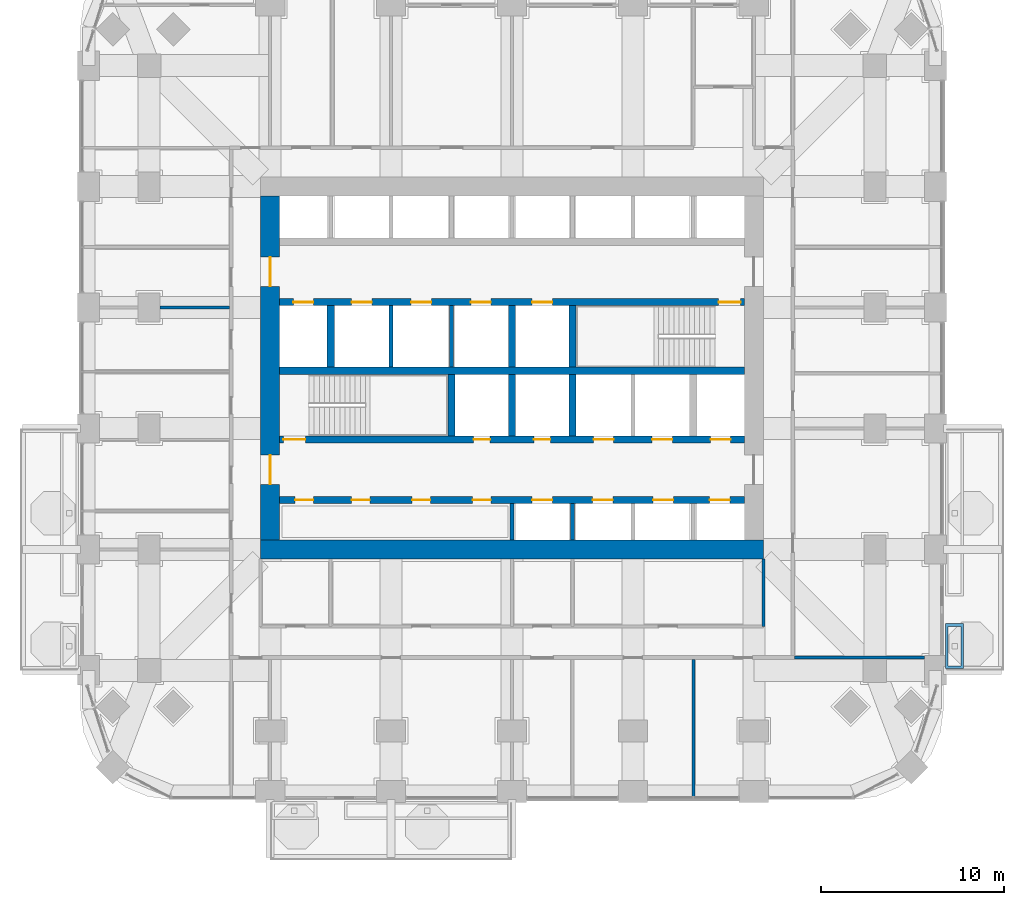
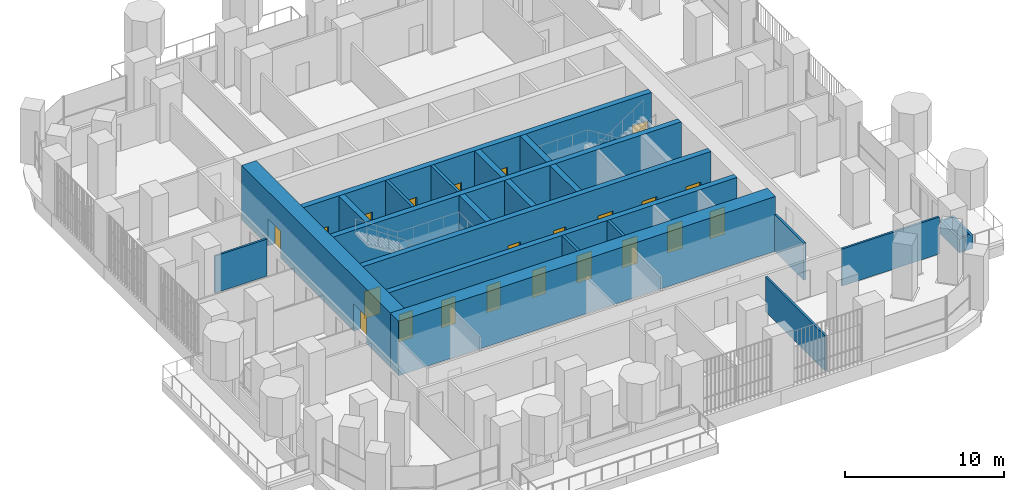
# One storey, part 14 of 21: 22 doors, 21 walls, 22 openings.
"""IFC4 building model written with IfcOpenShell, lengths in metres."""

from ifc_helpers import new_model, si_unit, direction, frame, frame_2d, origin, place, context, subcontext, project, spatial, polyline, rectangle, outline, extrude, material, layer, layer_set, type_object, element, fill, save


model = new_model("IFC4")

# Units and contexts
model_context = context("Model", 3, precision=1e-05, world=origin(), true_north=direction((0.0, 1.0)))
body_context = subcontext(model_context, "Body", "Model", "MODEL_VIEW")
ifc_project = project(units=[si_unit("LENGTHUNIT", "METRE"), si_unit("AREAUNIT", "SQUARE_METRE"), si_unit("VOLUMEUNIT", "CUBIC_METRE"), si_unit("PLANEANGLEUNIT", "RADIAN"), si_unit("MASSUNIT", "GRAM", prefix="KILO")], contexts=[model_context])

# Site, building, storey
site_placement = place(None, origin())
site = spatial("IfcSite", under=ifc_project, at=site_placement, CompositionType="ELEMENT")
building_placement = place(site_placement, origin())
building = spatial("IfcBuilding", under=site, at=building_placement, Name="Cobogo Forest Laboratory Tower", CompositionType="ELEMENT")
storey_placement = place(building_placement, frame((0.0, 0.0, 107.39990234375)))
storey = spatial("IfcBuildingStorey", under=building, at=storey_placement, Name="L24", CompositionType="ELEMENT", Elevation=107.39990234375)

# Wall, openings, doors
ifc_material_1 = material(Name="Concrete HA-50 (C50/60)", Category="concrete")
ifc_layer_1 = layer(ifc_material_1, 0.39990234375)
ifc_layer_set_1 = layer_set([ifc_layer_1], Name="CI400 core inner wall 400")
wall_type_1 = type_object("IfcWallType", Name="CI400 core inner wall 400", PredefinedType="SHEAR", material=ifc_layer_set_1)
wall_1_placement = place(storey_placement, frame((13.72509765625, 15.89990234375, 0.0), z_axis=(0.0, 0.0, 1.0), x_axis=(1.0, 0.0, 0.0)))
wall_1 = element("IfcWall", 1, at=wall_1_placement, inside=storey, type_object=wall_type_1, Name="Core wall CI-15.9 L24", PredefinedType="SHEAR", context=body_context, shape_type="SweptSolid", body=[
    extrude(rectangle(XDim=25.349853515625, YDim=0.39990234375, at=frame_2d((12.6748046875, 0.0))), origin(), (0.0, 0.0, 1.0), 4.2001953125),
])
opening_1_placement = place(wall_1_placement, frame((0.83740234375, 0.0, 0.0)))
opening_1 = element("IfcOpeningElement", 2, at=opening_1_placement, cuts=wall_1, Name="Opening L24-D16", PredefinedType="OPENING", context=body_context, shape_type="SweptSolid", body=[
    extrude(rectangle(XDim=1.0, YDim=2.10009765625, at=frame_2d((0.5, 1.050048828125))), frame((0.0, 0.2099609375, 0.0), z_axis=(0.0, -1.0, 0.0), x_axis=(1.0, 0.0, 0.0)), (0.0, 0.0, 1.0), 0.419921875),
])
opening_2_placement = place(wall_1_placement, frame((3.925048828125, 0.0, 0.0)))
opening_2 = element("IfcOpeningElement", 3, at=opening_2_placement, cuts=wall_1, Name="Opening L24-D17", PredefinedType="OPENING", context=body_context, shape_type="SweptSolid", body=[
    extrude(rectangle(XDim=1.0, YDim=2.10009765625, at=frame_2d((0.5, 1.050048828125))), frame((0.0, 0.2099609375, 0.0), z_axis=(0.0, -1.0, 0.0), x_axis=(1.0, 0.0, 0.0)), (0.0, 0.0, 1.0), 0.419921875),
])
opening_3_placement = place(wall_1_placement, frame((7.22509765625, 0.0, 0.0)))
opening_3 = element("IfcOpeningElement", 4, at=opening_3_placement, cuts=wall_1, Name="Opening L24-D18", PredefinedType="OPENING", context=body_context, shape_type="SweptSolid", body=[
    extrude(rectangle(XDim=1.0, YDim=2.10009765625, at=frame_2d((0.5, 1.050048828125))), frame((0.0, 0.2099609375, 0.0), z_axis=(0.0, -1.0, 0.0), x_axis=(1.0, 0.0, 0.0)), (0.0, 0.0, 1.0), 0.419921875),
])
opening_4_placement = place(wall_1_placement, frame((10.52490234375, 0.0, 0.0)))
opening_4 = element("IfcOpeningElement", 5, at=opening_4_placement, cuts=wall_1, Name="Opening L24-D19", PredefinedType="OPENING", context=body_context, shape_type="SweptSolid", body=[
    extrude(rectangle(XDim=1.0, YDim=2.10009765625, at=frame_2d((0.5, 1.050048828125))), frame((0.0, 0.2099609375, 0.0), z_axis=(0.0, -1.0, 0.0), x_axis=(1.0, 0.0, 0.0)), (0.0, 0.0, 1.0), 0.419921875),
])
opening_5_placement = place(wall_1_placement, frame((13.77490234375, 0.0, 0.0)))
opening_5 = element("IfcOpeningElement", 6, at=opening_5_placement, cuts=wall_1, Name="Opening L24-LD-LB1", PredefinedType="OPENING", context=body_context, shape_type="SweptSolid", body=[
    extrude(rectangle(XDim=1.10009765625, YDim=2.10009765625, at=frame_2d((0.550048828125, 1.050048828125))), frame((0.0, 0.2099609375, 0.0), z_axis=(0.0, -1.0, 0.0), x_axis=(1.0, 0.0, 0.0)), (0.0, 0.0, 1.0), 0.419921875),
])
opening_6_placement = place(wall_1_placement, frame((17.074951171875, 0.0, 0.0)))
opening_6 = element("IfcOpeningElement", 7, at=opening_6_placement, cuts=wall_1, Name="Opening L24-LD-LB2", PredefinedType="OPENING", context=body_context, shape_type="SweptSolid", body=[
    extrude(rectangle(XDim=1.10009765625, YDim=2.10009765625, at=frame_2d((0.550048828125, 1.050048828125))), frame((0.0, 0.2099609375, 0.0), z_axis=(0.0, -1.0, 0.0), x_axis=(1.0, 0.0, 0.0)), (0.0, 0.0, 1.0), 0.419921875),
])
opening_7_placement = place(wall_1_placement, frame((20.375, 0.0, 0.0)))
opening_7 = element("IfcOpeningElement", 8, at=opening_7_placement, cuts=wall_1, Name="Opening L24-LD-LB3", PredefinedType="OPENING", context=body_context, shape_type="SweptSolid", body=[
    extrude(rectangle(XDim=1.10009765625, YDim=2.10009765625, at=frame_2d((0.550048828125, 1.050048828125))), frame((0.0, 0.2099609375, 0.0), z_axis=(0.0, -1.0, 0.0), x_axis=(1.0, 0.0, 0.0)), (0.0, 0.0, 1.0), 0.419921875),
])
opening_8_placement = place(wall_1_placement, frame((23.46240234375, 0.0, 0.0)))
opening_8 = element("IfcOpeningElement", 9, at=opening_8_placement, cuts=wall_1, Name="Opening L24-LD-LB4", PredefinedType="OPENING", context=body_context, shape_type="SweptSolid", body=[
    extrude(rectangle(XDim=1.10009765625, YDim=2.10009765625, at=frame_2d((0.550048828125, 1.050048828125))), frame((0.0, 0.2099609375, 0.0), z_axis=(0.0, -1.0, 0.0), x_axis=(1.0, 0.0, 0.0)), (0.0, 0.0, 1.0), 0.419921875),
])
ifc_material_2 = material(Name="Steel fire door", Category="steel")
door_type_1 = type_object("IfcDoorType", Name="FD1 fire door 1000 EI2 60", OperationType="SINGLE_SWING_LEFT", PredefinedType="DOOR", material=ifc_material_2)
door_1_placement = place(opening_1_placement, origin())
door_1 = element("IfcDoor", 10, at=door_1_placement, inside=storey, type_object=door_type_1, Name="Door L24-SH-LA1", OperationType="SINGLE_SWING_LEFT", OverallHeight=2.10009765625, OverallWidth=1.0, PredefinedType="DOOR", context=body_context, shape_type="SweptSolid", body=[
    extrude(rectangle(XDim=1.0, YDim=2.10009765625, at=frame_2d((0.5, 1.050048828125))), frame((0.0, 0.02490234375, 0.0), z_axis=(0.0, -1.0, 0.0), x_axis=(1.0, 0.0, 0.0)), (0.0, 0.0, 1.0), 0.050048828125),
])
fill(opening_1, door_1)
door_2_placement = place(opening_2_placement, origin())
door_2 = element("IfcDoor", 11, at=door_2_placement, inside=storey, type_object=door_type_1, Name="Door L24-SH-LA2", OperationType="SINGLE_SWING_LEFT", OverallHeight=2.10009765625, OverallWidth=1.0, PredefinedType="DOOR", context=body_context, shape_type="SweptSolid", body=[
    extrude(rectangle(XDim=1.0, YDim=2.10009765625, at=frame_2d((0.5, 1.050048828125))), frame((0.0, 0.02490234375, 0.0), z_axis=(0.0, -1.0, 0.0), x_axis=(1.0, 0.0, 0.0)), (0.0, 0.0, 1.0), 0.050048828125),
])
fill(opening_2, door_2)
door_3_placement = place(opening_3_placement, origin())
door_3 = element("IfcDoor", 12, at=door_3_placement, inside=storey, type_object=door_type_1, Name="Door L24-SH-LA3", OperationType="SINGLE_SWING_LEFT", OverallHeight=2.10009765625, OverallWidth=1.0, PredefinedType="DOOR", context=body_context, shape_type="SweptSolid", body=[
    extrude(rectangle(XDim=1.0, YDim=2.10009765625, at=frame_2d((0.5, 1.050048828125))), frame((0.0, 0.02490234375, 0.0), z_axis=(0.0, -1.0, 0.0), x_axis=(1.0, 0.0, 0.0)), (0.0, 0.0, 1.0), 0.050048828125),
])
fill(opening_3, door_3)
door_4_placement = place(opening_4_placement, origin())
door_4 = element("IfcDoor", 13, at=door_4_placement, inside=storey, type_object=door_type_1, Name="Door L24-SH-LA4", OperationType="SINGLE_SWING_LEFT", OverallHeight=2.10009765625, OverallWidth=1.0, PredefinedType="DOOR", context=body_context, shape_type="SweptSolid", body=[
    extrude(rectangle(XDim=1.0, YDim=2.10009765625, at=frame_2d((0.5, 1.050048828125))), frame((0.0, 0.02490234375, 0.0), z_axis=(0.0, -1.0, 0.0), x_axis=(1.0, 0.0, 0.0)), (0.0, 0.0, 1.0), 0.050048828125),
])
fill(opening_4, door_4)
ifc_material_3 = material(Name="Stainless steel lift door", Category="steel")
door_type_2 = type_object("IfcDoorType", Name="LD lift landing door 1100", OperationType="DOUBLE_DOOR_SLIDING", PredefinedType="DOOR", material=ifc_material_3)
door_5_placement = place(opening_5_placement, origin())
door_5 = element("IfcDoor", 14, at=door_5_placement, inside=storey, type_object=door_type_2, Name="Lift landing door LB1 L24", OperationType="DOUBLE_DOOR_SLIDING", OverallHeight=2.10009765625, OverallWidth=1.10009765625, PredefinedType="DOOR", context=body_context, shape_type="SweptSolid", body=[
    extrude(rectangle(XDim=1.10009765625, YDim=2.10009765625, at=frame_2d((0.550048828125, 1.050048828125))), frame((0.0, 0.02490234375, 0.0), z_axis=(0.0, -1.0, 0.0), x_axis=(1.0, 0.0, 0.0)), (0.0, 0.0, 1.0), 0.050048828125),
])
fill(opening_5, door_5)
door_6_placement = place(opening_6_placement, origin())
door_6 = element("IfcDoor", 15, at=door_6_placement, inside=storey, type_object=door_type_2, Name="Lift landing door LB2 L24", OperationType="DOUBLE_DOOR_SLIDING", OverallHeight=2.10009765625, OverallWidth=1.10009765625, PredefinedType="DOOR", context=body_context, shape_type="SweptSolid", body=[
    extrude(rectangle(XDim=1.10009765625, YDim=2.10009765625, at=frame_2d((0.550048828125, 1.050048828125))), frame((0.0, 0.02490234375, 0.0), z_axis=(0.0, -1.0, 0.0), x_axis=(1.0, 0.0, 0.0)), (0.0, 0.0, 1.0), 0.050048828125),
])
fill(opening_6, door_6)
door_7_placement = place(opening_7_placement, origin())
door_7 = element("IfcDoor", 16, at=door_7_placement, inside=storey, type_object=door_type_2, Name="Lift landing door LB3 L24", OperationType="DOUBLE_DOOR_SLIDING", OverallHeight=2.10009765625, OverallWidth=1.10009765625, PredefinedType="DOOR", context=body_context, shape_type="SweptSolid", body=[
    extrude(rectangle(XDim=1.10009765625, YDim=2.10009765625, at=frame_2d((0.550048828125, 1.050048828125))), frame((0.0, 0.02490234375, 0.0), z_axis=(0.0, -1.0, 0.0), x_axis=(1.0, 0.0, 0.0)), (0.0, 0.0, 1.0), 0.050048828125),
])
fill(opening_7, door_7)
door_8_placement = place(opening_8_placement, origin())
door_8 = element("IfcDoor", 17, at=door_8_placement, inside=storey, type_object=door_type_2, Name="Lift landing door LB4 L24", OperationType="DOUBLE_DOOR_SLIDING", OverallHeight=2.10009765625, OverallWidth=1.10009765625, PredefinedType="DOOR", context=body_context, shape_type="SweptSolid", body=[
    extrude(rectangle(XDim=1.10009765625, YDim=2.10009765625, at=frame_2d((0.550048828125, 1.050048828125))), frame((0.0, 0.02490234375, 0.0), z_axis=(0.0, -1.0, 0.0), x_axis=(1.0, 0.0, 0.0)), (0.0, 0.0, 1.0), 0.050048828125),
])
fill(opening_8, door_8)

wall_2_placement = place(storey_placement, frame((13.72509765625, 19.199951171875, 0.0), z_axis=(0.0, 0.0, 1.0), x_axis=(1.0, 0.0, 0.0)))
wall_2 = element("IfcWall", 18, at=wall_2_placement, inside=storey, type_object=wall_type_1, Name="Core wall CI-19.2 L24", PredefinedType="SHEAR", context=body_context, shape_type="SweptSolid", body=[
    extrude(rectangle(XDim=25.349853515625, YDim=0.39990234375, at=frame_2d((12.6748046875, 0.0))), origin(), (0.0, 0.0, 1.0), 4.2001953125),
])
opening_9_placement = place(wall_2_placement, frame((10.574951171875, 0.0, 0.0)))
opening_9 = element("IfcOpeningElement", 19, at=opening_9_placement, cuts=wall_2, Name="Opening L24-D24", PredefinedType="OPENING", context=body_context, shape_type="SweptSolid", body=[
    extrude(rectangle(XDim=0.89990234375, YDim=2.10009765625, at=frame_2d((0.449951171875, 1.050048828125))), frame((0.0, 0.2099609375, 0.0), z_axis=(0.0, -1.0, 0.0), x_axis=(1.0, 0.0, 0.0)), (0.0, 0.0, 1.0), 0.419921875),
])
opening_10_placement = place(wall_2_placement, frame((13.875, 0.0, 0.0)))
opening_10 = element("IfcOpeningElement", 20, at=opening_10_placement, cuts=wall_2, Name="Opening L24-D25", PredefinedType="OPENING", context=body_context, shape_type="SweptSolid", body=[
    extrude(rectangle(XDim=0.89990234375, YDim=2.10009765625, at=frame_2d((0.449951171875, 1.050048828125))), frame((0.0, 0.2099609375, 0.0), z_axis=(0.0, -1.0, 0.0), x_axis=(1.0, 0.0, 0.0)), (0.0, 0.0, 1.0), 0.419921875),
])
opening_11_placement = place(wall_2_placement, frame((0.199951171875, 0.0, 0.0)))
opening_11 = element("IfcOpeningElement", 21, at=opening_11_placement, cuts=wall_2, Name="Opening L24-D23", PredefinedType="OPENING", context=body_context, shape_type="SweptSolid", body=[
    extrude(rectangle(XDim=1.199951171875, YDim=2.10009765625, at=frame_2d((0.60009765625, 1.050048828125))), frame((0.0, 0.2099609375, 0.0), z_axis=(0.0, -1.0, 0.0), x_axis=(1.0, 0.0, 0.0)), (0.0, 0.0, 1.0), 0.419921875),
])
opening_12_placement = place(wall_2_placement, frame((23.512451171875, 0.0, 0.0)))
opening_12 = element("IfcOpeningElement", 22, at=opening_12_placement, cuts=wall_2, Name="Opening L24-LD-FL2", PredefinedType="OPENING", context=body_context, shape_type="SweptSolid", body=[
    extrude(rectangle(XDim=1.10009765625, YDim=2.10009765625, at=frame_2d((0.550048828125, 1.050048828125))), frame((0.0, 0.2099609375, 0.0), z_axis=(0.0, -1.0, 0.0), x_axis=(1.0, 0.0, 0.0)), (0.0, 0.0, 1.0), 0.419921875),
])
opening_13_placement = place(wall_2_placement, frame((17.125, 0.0, 0.0)))
opening_13 = element("IfcOpeningElement", 23, at=opening_13_placement, cuts=wall_2, Name="Opening L24-LD-LS1", PredefinedType="OPENING", context=body_context, shape_type="SweptSolid", body=[
    extrude(rectangle(XDim=1.10009765625, YDim=2.10009765625, at=frame_2d((0.550048828125, 1.050048828125))), frame((0.0, 0.2099609375, 0.0), z_axis=(0.0, -1.0, 0.0), x_axis=(1.0, 0.0, 0.0)), (0.0, 0.0, 1.0), 0.419921875),
])
opening_14_placement = place(wall_2_placement, frame((20.324951171875, 0.0, 0.0)))
opening_14 = element("IfcOpeningElement", 24, at=opening_14_placement, cuts=wall_2, Name="Opening L24-LD-LS2", PredefinedType="OPENING", context=body_context, shape_type="SweptSolid", body=[
    extrude(rectangle(XDim=1.10009765625, YDim=2.10009765625, at=frame_2d((0.550048828125, 1.050048828125))), frame((0.0, 0.2099609375, 0.0), z_axis=(0.0, -1.0, 0.0), x_axis=(1.0, 0.0, 0.0)), (0.0, 0.0, 1.0), 0.419921875),
])
door_type_3 = type_object("IfcDoorType", Name="DS1 protected stair door 1200 EI2 60", OperationType="SINGLE_SWING_LEFT", PredefinedType="DOOR", material=ifc_material_2)
door_9_placement = place(opening_11_placement, origin())
door_9 = element("IfcDoor", 25, at=door_9_placement, inside=storey, type_object=door_type_3, Name="Door L24-ST1", OperationType="SINGLE_SWING_LEFT", OverallHeight=2.10009765625, OverallWidth=1.199951171875, PredefinedType="DOOR", context=body_context, shape_type="SweptSolid", body=[
    extrude(rectangle(XDim=1.199951171875, YDim=2.10009765625, at=frame_2d((0.60009765625, 1.050048828125))), frame((0.0, 0.02490234375, 0.0), z_axis=(0.0, -1.0, 0.0), x_axis=(1.0, 0.0, 0.0)), (0.0, 0.0, 1.0), 0.050048828125),
])
fill(opening_11, door_9)
door_type_4 = type_object("IfcDoorType", Name="FD4 riser access door 900 EI2 60", OperationType="SINGLE_SWING_LEFT", PredefinedType="DOOR", material=ifc_material_2)
door_10_placement = place(opening_9_placement, origin())
door_10 = element("IfcDoor", 26, at=door_10_placement, inside=storey, type_object=door_type_4, Name="Door L24-R1", OperationType="SINGLE_SWING_LEFT", OverallHeight=2.10009765625, OverallWidth=0.89990234375, PredefinedType="DOOR", context=body_context, shape_type="SweptSolid", body=[
    extrude(rectangle(XDim=0.89990234375, YDim=2.10009765625, at=frame_2d((0.449951171875, 1.050048828125))), frame((0.0, 0.02490234375, 0.0), z_axis=(0.0, -1.0, 0.0), x_axis=(1.0, 0.0, 0.0)), (0.0, 0.0, 1.0), 0.050048828125),
])
fill(opening_9, door_10)
door_11_placement = place(opening_10_placement, origin())
door_11 = element("IfcDoor", 27, at=door_11_placement, inside=storey, type_object=door_type_4, Name="Door L24-R2", OperationType="SINGLE_SWING_RIGHT", OverallHeight=2.10009765625, OverallWidth=0.89990234375, PredefinedType="DOOR", context=body_context, shape_type="SweptSolid", body=[
    extrude(rectangle(XDim=0.89990234375, YDim=2.10009765625, at=frame_2d((0.449951171875, 1.050048828125))), frame((0.0, 0.02490234375, 0.0), z_axis=(0.0, -1.0, 0.0), x_axis=(1.0, 0.0, 0.0)), (0.0, 0.0, 1.0), 0.050048828125),
])
fill(opening_10, door_11)
door_12_placement = place(opening_12_placement, origin())
door_12 = element("IfcDoor", 28, at=door_12_placement, inside=storey, type_object=door_type_2, Name="Lift landing door FL2 L24", OperationType="DOUBLE_DOOR_SLIDING", OverallHeight=2.10009765625, OverallWidth=1.10009765625, PredefinedType="DOOR", context=body_context, shape_type="SweptSolid", body=[
    extrude(rectangle(XDim=1.10009765625, YDim=2.10009765625, at=frame_2d((0.550048828125, 1.050048828125))), frame((0.0, 0.02490234375, 0.0), z_axis=(0.0, -1.0, 0.0), x_axis=(1.0, 0.0, 0.0)), (0.0, 0.0, 1.0), 0.050048828125),
])
fill(opening_12, door_12)
door_13_placement = place(opening_13_placement, origin())
door_13 = element("IfcDoor", 29, at=door_13_placement, inside=storey, type_object=door_type_2, Name="Lift landing door LS1 L24", OperationType="DOUBLE_DOOR_SLIDING", OverallHeight=2.10009765625, OverallWidth=1.10009765625, PredefinedType="DOOR", context=body_context, shape_type="SweptSolid", body=[
    extrude(rectangle(XDim=1.10009765625, YDim=2.10009765625, at=frame_2d((0.550048828125, 1.050048828125))), frame((0.0, 0.02490234375, 0.0), z_axis=(0.0, -1.0, 0.0), x_axis=(1.0, 0.0, 0.0)), (0.0, 0.0, 1.0), 0.050048828125),
])
fill(opening_13, door_13)
door_14_placement = place(opening_14_placement, origin())
door_14 = element("IfcDoor", 30, at=door_14_placement, inside=storey, type_object=door_type_2, Name="Lift landing door LS2 L24", OperationType="DOUBLE_DOOR_SLIDING", OverallHeight=2.10009765625, OverallWidth=1.10009765625, PredefinedType="DOOR", context=body_context, shape_type="SweptSolid", body=[
    extrude(rectangle(XDim=1.10009765625, YDim=2.10009765625, at=frame_2d((0.550048828125, 1.050048828125))), frame((0.0, 0.02490234375, 0.0), z_axis=(0.0, -1.0, 0.0), x_axis=(1.0, 0.0, 0.0)), (0.0, 0.0, 1.0), 0.050048828125),
])
fill(opening_14, door_14)

# Wall
wall_3_placement = place(storey_placement, frame((13.72509765625, 22.949951171875, 0.0), z_axis=(0.0, 0.0, 1.0), x_axis=(1.0, 0.0, 0.0)))
element("IfcWall", 31, at=wall_3_placement, inside=storey, type_object=wall_type_1, Name="Core wall CI-22.95 L24", PredefinedType="SHEAR", context=body_context, shape_type="SweptSolid", body=[
    extrude(rectangle(XDim=25.349853515625, YDim=0.39990234375, at=frame_2d((12.6748046875, 0.0))), origin(), (0.0, 0.0, 1.0), 4.2001953125),
])

# Wall, openings, doors
wall_4_placement = place(storey_placement, frame((13.72509765625, 26.699951171875, 0.0), z_axis=(0.0, 0.0, 1.0), x_axis=(1.0, 0.0, 0.0)))
wall_4 = element("IfcWall", 32, at=wall_4_placement, inside=storey, type_object=wall_type_1, Name="Core wall CI-26.7 L24", PredefinedType="SHEAR", context=body_context, shape_type="SweptSolid", body=[
    extrude(rectangle(XDim=25.349853515625, YDim=0.39990234375, at=frame_2d((12.6748046875, 0.0))), origin(), (0.0, 0.0, 1.0), 4.2001953125),
])
opening_15_placement = place(wall_4_placement, frame((23.949951171875, 0.0, 0.0)))
opening_15 = element("IfcOpeningElement", 33, at=opening_15_placement, cuts=wall_4, Name="Opening L24-D30", PredefinedType="OPENING", context=body_context, shape_type="SweptSolid", body=[
    extrude(rectangle(XDim=1.199951171875, YDim=2.10009765625, at=frame_2d((0.60009765625, 1.050048828125))), frame((0.0, 0.2099609375, 0.0), z_axis=(0.0, -1.0, 0.0), x_axis=(1.0, 0.0, 0.0)), (0.0, 0.0, 1.0), 0.419921875),
])
opening_16_placement = place(wall_4_placement, frame((0.737548828125, 0.0, 0.0)))
opening_16 = element("IfcOpeningElement", 34, at=opening_16_placement, cuts=wall_4, Name="Opening L24-LD-FL1", PredefinedType="OPENING", context=body_context, shape_type="SweptSolid", body=[
    extrude(rectangle(XDim=1.10009765625, YDim=2.10009765625, at=frame_2d((0.550048828125, 1.050048828125))), frame((0.0, 0.2099609375, 0.0), z_axis=(0.0, -1.0, 0.0), x_axis=(1.0, 0.0, 0.0)), (0.0, 0.0, 1.0), 0.419921875),
])
opening_17_placement = place(wall_4_placement, frame((3.925048828125, 0.0, 0.0)))
opening_17 = element("IfcOpeningElement", 35, at=opening_17_placement, cuts=wall_4, Name="Opening L24-LD-LS3", PredefinedType="OPENING", context=body_context, shape_type="SweptSolid", body=[
    extrude(rectangle(XDim=1.10009765625, YDim=2.10009765625, at=frame_2d((0.550048828125, 1.050048828125))), frame((0.0, 0.2099609375, 0.0), z_axis=(0.0, -1.0, 0.0), x_axis=(1.0, 0.0, 0.0)), (0.0, 0.0, 1.0), 0.419921875),
])
opening_18_placement = place(wall_4_placement, frame((7.175048828125, 0.0, 0.0)))
opening_18 = element("IfcOpeningElement", 36, at=opening_18_placement, cuts=wall_4, Name="Opening L24-LD-LS4", PredefinedType="OPENING", context=body_context, shape_type="SweptSolid", body=[
    extrude(rectangle(XDim=1.10009765625, YDim=2.10009765625, at=frame_2d((0.550048828125, 1.050048828125))), frame((0.0, 0.2099609375, 0.0), z_axis=(0.0, -1.0, 0.0), x_axis=(1.0, 0.0, 0.0)), (0.0, 0.0, 1.0), 0.419921875),
])
opening_19_placement = place(wall_4_placement, frame((10.425048828125, 0.0, 0.0)))
opening_19 = element("IfcOpeningElement", 37, at=opening_19_placement, cuts=wall_4, Name="Opening L24-LD-LS5", PredefinedType="OPENING", context=body_context, shape_type="SweptSolid", body=[
    extrude(rectangle(XDim=1.10009765625, YDim=2.10009765625, at=frame_2d((0.550048828125, 1.050048828125))), frame((0.0, 0.2099609375, 0.0), z_axis=(0.0, -1.0, 0.0), x_axis=(1.0, 0.0, 0.0)), (0.0, 0.0, 1.0), 0.419921875),
])
opening_20_placement = place(wall_4_placement, frame((13.77490234375, 0.0, 0.0)))
opening_20 = element("IfcOpeningElement", 38, at=opening_20_placement, cuts=wall_4, Name="Opening L24-LD-LS6", PredefinedType="OPENING", context=body_context, shape_type="SweptSolid", body=[
    extrude(rectangle(XDim=1.10009765625, YDim=2.10009765625, at=frame_2d((0.550048828125, 1.050048828125))), frame((0.0, 0.2099609375, 0.0), z_axis=(0.0, -1.0, 0.0), x_axis=(1.0, 0.0, 0.0)), (0.0, 0.0, 1.0), 0.419921875),
])
door_15_placement = place(opening_15_placement, origin())
door_15 = element("IfcDoor", 39, at=door_15_placement, inside=storey, type_object=door_type_3, Name="Door L24-ST2", OperationType="SINGLE_SWING_RIGHT", OverallHeight=2.10009765625, OverallWidth=1.199951171875, PredefinedType="DOOR", context=body_context, shape_type="SweptSolid", body=[
    extrude(rectangle(XDim=1.199951171875, YDim=2.10009765625, at=frame_2d((0.60009765625, 1.050048828125))), frame((0.0, 0.02490234375, 0.0), z_axis=(0.0, -1.0, 0.0), x_axis=(1.0, 0.0, 0.0)), (0.0, 0.0, 1.0), 0.050048828125),
])
fill(opening_15, door_15)
door_16_placement = place(opening_16_placement, origin())
door_16 = element("IfcDoor", 40, at=door_16_placement, inside=storey, type_object=door_type_2, Name="Lift landing door FL1 L24", OperationType="DOUBLE_DOOR_SLIDING", OverallHeight=2.10009765625, OverallWidth=1.10009765625, PredefinedType="DOOR", context=body_context, shape_type="SweptSolid", body=[
    extrude(rectangle(XDim=1.10009765625, YDim=2.10009765625, at=frame_2d((0.550048828125, 1.050048828125))), frame((0.0, 0.02490234375, 0.0), z_axis=(0.0, -1.0, 0.0), x_axis=(1.0, 0.0, 0.0)), (0.0, 0.0, 1.0), 0.050048828125),
])
fill(opening_16, door_16)
door_17_placement = place(opening_17_placement, origin())
door_17 = element("IfcDoor", 41, at=door_17_placement, inside=storey, type_object=door_type_2, Name="Lift landing door LS3 L24", OperationType="DOUBLE_DOOR_SLIDING", OverallHeight=2.10009765625, OverallWidth=1.10009765625, PredefinedType="DOOR", context=body_context, shape_type="SweptSolid", body=[
    extrude(rectangle(XDim=1.10009765625, YDim=2.10009765625, at=frame_2d((0.550048828125, 1.050048828125))), frame((0.0, 0.02490234375, 0.0), z_axis=(0.0, -1.0, 0.0), x_axis=(1.0, 0.0, 0.0)), (0.0, 0.0, 1.0), 0.050048828125),
])
fill(opening_17, door_17)
door_18_placement = place(opening_18_placement, origin())
door_18 = element("IfcDoor", 42, at=door_18_placement, inside=storey, type_object=door_type_2, Name="Lift landing door LS4 L24", OperationType="DOUBLE_DOOR_SLIDING", OverallHeight=2.10009765625, OverallWidth=1.10009765625, PredefinedType="DOOR", context=body_context, shape_type="SweptSolid", body=[
    extrude(rectangle(XDim=1.10009765625, YDim=2.10009765625, at=frame_2d((0.550048828125, 1.050048828125))), frame((0.0, 0.02490234375, 0.0), z_axis=(0.0, -1.0, 0.0), x_axis=(1.0, 0.0, 0.0)), (0.0, 0.0, 1.0), 0.050048828125),
])
fill(opening_18, door_18)
door_19_placement = place(opening_19_placement, origin())
door_19 = element("IfcDoor", 43, at=door_19_placement, inside=storey, type_object=door_type_2, Name="Lift landing door LS5 L24", OperationType="DOUBLE_DOOR_SLIDING", OverallHeight=2.10009765625, OverallWidth=1.10009765625, PredefinedType="DOOR", context=body_context, shape_type="SweptSolid", body=[
    extrude(rectangle(XDim=1.10009765625, YDim=2.10009765625, at=frame_2d((0.550048828125, 1.050048828125))), frame((0.0, 0.02490234375, 0.0), z_axis=(0.0, -1.0, 0.0), x_axis=(1.0, 0.0, 0.0)), (0.0, 0.0, 1.0), 0.050048828125),
])
fill(opening_19, door_19)
door_20_placement = place(opening_20_placement, origin())
door_20 = element("IfcDoor", 44, at=door_20_placement, inside=storey, type_object=door_type_2, Name="Lift landing door LS6 L24", OperationType="DOUBLE_DOOR_SLIDING", OverallHeight=2.10009765625, OverallWidth=1.10009765625, PredefinedType="DOOR", context=body_context, shape_type="SweptSolid", body=[
    extrude(rectangle(XDim=1.10009765625, YDim=2.10009765625, at=frame_2d((0.550048828125, 1.050048828125))), frame((0.0, 0.02490234375, 0.0), z_axis=(0.0, -1.0, 0.0), x_axis=(1.0, 0.0, 0.0)), (0.0, 0.0, 1.0), 0.050048828125),
])
fill(opening_20, door_20)

# Walls
for number, where, z_axis, x_axis, name in (
    (45, (23.10009765625, 19.39990234375, 0.0), (0.0, 0.0, 1.0), (0.0, 1.0, 0.0), "Core wall CX-23.1 L24"),
    (46, (26.39990234375, 19.39990234375, 0.0), (0.0, 0.0, 1.0), (0.0, 1.0, 0.0), "Core wall CX-26.4S L24"),
    (47, (29.699951171875, 19.39990234375, 0.0), (0.0, 0.0, 1.0), (0.0, 1.0, 0.0), "Core wall CX-29.7S L24"),
    (48, (16.5, 23.14990234375, 0.0), (0.0, 0.0, 1.0), (0.0, 1.0, 0.0), "Core wall CX-16.5 L24"),
    (49, (26.39990234375, 23.14990234375, 0.0), (0.0, 0.0, 1.0), (0.0, 1.0, 0.0), "Core wall CX-26.4N L24"),
    (50, (29.699951171875, 23.14990234375, 0.0), (0.0, 0.0, 1.0), (0.0, 1.0, 0.0), "Core wall CX-29.7N L24"),
):
    element("IfcWall", number, at=place(storey_placement, frame(where, z_axis=z_axis, x_axis=x_axis)), inside=storey, type_object=wall_type_1, Name=name, PredefinedType="SHEAR", context=body_context, shape_type="SweptSolid", body=[
        extrude(rectangle(XDim=3.35009765625, YDim=0.39990234375, at=frame_2d((1.675048828125, 0.0))), origin(), (0.0, 0.0, 1.0), 4.2001953125),
    ])
ifc_layer_2 = layer(ifc_material_1, 1.050048828125)
ifc_layer_set_2 = layer_set([ifc_layer_2], Name="CW1050 core outer wall 1050")
wall_type_2 = type_object("IfcWallType", Name="CW1050 core outer wall 1050", PredefinedType="SHEAR", material=ifc_layer_set_2)
wall_5_placement = place(storey_placement, frame((12.675048828125, 13.199951171875, 0.0), z_axis=(0.0, 0.0, 1.0), x_axis=(1.0, 0.0, 0.0)))
element("IfcWall", 51, at=wall_5_placement, inside=storey, type_object=wall_type_2, Name="Core wall CO-S L24", PredefinedType="SHEAR", context=body_context, shape_type="SweptSolid", body=[
    extrude(rectangle(XDim=27.449951171875, YDim=1.050048828125, at=frame_2d((13.72509765625, 0.0))), origin(), (0.0, 0.0, 1.0), 4.2001953125),
])

# Wall, openings, doors
wall_6_placement = place(storey_placement, frame((13.199951171875, 32.47509765625, 0.0), z_axis=(0.0, 0.0, 1.0), x_axis=(0.0, -1.0, 0.0)))
wall_6 = element("IfcWall", 52, at=wall_6_placement, inside=storey, type_object=wall_type_2, Name="Core wall CO-W L24", PredefinedType="SHEAR", context=body_context, shape_type="SweptSolid", body=[
    extrude(rectangle(XDim=18.75, YDim=1.050048828125, at=frame_2d((9.375, 0.0))), origin(), (0.0, 0.0, 1.0), 4.2001953125),
])
opening_21_placement = place(wall_6_placement, frame((14.125, 0.0, 0.0)))
opening_21 = element("IfcOpeningElement", 53, at=opening_21_placement, cuts=wall_6, Name="Opening L24-D21", PredefinedType="OPENING", context=body_context, shape_type="SweptSolid", body=[
    extrude(rectangle(XDim=1.60009765625, YDim=2.10009765625, at=frame_2d((0.800048828125, 1.050048828125))), frame((0.0, 0.534912109375, 0.0), z_axis=(0.0, -1.0, 0.0), x_axis=(1.0, 0.0, 0.0)), (0.0, 0.0, 1.0), 1.070068359375),
])
opening_22_placement = place(wall_6_placement, frame((3.324951171875, 0.0, 0.0)))
opening_22 = element("IfcOpeningElement", 54, at=opening_22_placement, cuts=wall_6, Name="Opening L24-D33", PredefinedType="OPENING", context=body_context, shape_type="SweptSolid", body=[
    extrude(rectangle(XDim=1.60009765625, YDim=2.10009765625, at=frame_2d((0.800048828125, 1.050048828125))), frame((0.0, 0.534912109375, 0.0), z_axis=(0.0, -1.0, 0.0), x_axis=(1.0, 0.0, 0.0)), (0.0, 0.0, 1.0), 1.070068359375),
])
door_type_5 = type_object("IfcDoorType", Name="DS2 protected lobby door pair 1600 EI2 60", OperationType="DOUBLE_DOOR_DOUBLE_SWING", PredefinedType="DOOR", material=ifc_material_2)
door_21_placement = place(opening_21_placement, origin())
door_21 = element("IfcDoor", 55, at=door_21_placement, inside=storey, type_object=door_type_5, Name="Door L24-CO-W-S", OperationType="DOUBLE_DOOR_DOUBLE_SWING", OverallHeight=2.10009765625, OverallWidth=1.60009765625, PredefinedType="DOOR", context=body_context, shape_type="SweptSolid", body=[
    extrude(rectangle(XDim=1.60009765625, YDim=2.10009765625, at=frame_2d((0.800048828125, 1.050048828125))), frame((0.0, 0.02490234375, 0.0), z_axis=(0.0, -1.0, 0.0), x_axis=(1.0, 0.0, 0.0)), (0.0, 0.0, 1.0), 0.050048828125),
])
fill(opening_21, door_21)
door_22_placement = place(opening_22_placement, origin())
door_22 = element("IfcDoor", 56, at=door_22_placement, inside=storey, type_object=door_type_5, Name="Door L24-CO-W-N", OperationType="DOUBLE_DOOR_DOUBLE_SWING", OverallHeight=2.10009765625, OverallWidth=1.60009765625, PredefinedType="DOOR", context=body_context, shape_type="SweptSolid", body=[
    extrude(rectangle(XDim=1.60009765625, YDim=2.10009765625, at=frame_2d((0.800048828125, 1.050048828125))), frame((0.0, 0.02490234375, 0.0), z_axis=(0.0, -1.0, 0.0), x_axis=(1.0, 0.0, 0.0)), (0.0, 0.0, 1.0), 0.050048828125),
])
fill(opening_22, door_22)

# Walls
ifc_material_4 = material(Name="Gypsum board on steel studs", Category="steel")
ifc_layer_3 = layer(ifc_material_4, 0.14990234375)
ifc_layer_set_3 = layer_set([ifc_layer_3], Name="PT1 laboratory partition 150")
wall_type_3 = type_object("IfcWallType", Name="PT1 laboratory partition 150", PredefinedType="PARTITIONING", material=ifc_layer_set_3)
wall_7_placement = place(storey_placement, frame((40.125, 12.675048828125, 0.0), z_axis=(0.0, 0.0, 1.0), x_axis=(0.0, -1.0, 0.0)))
element("IfcWall", 57, at=wall_7_placement, inside=storey, type_object=wall_type_3, Name="Partition CSTRIP-SE L24", PredefinedType="PARTITIONING", context=body_context, shape_type="SweptSolid", body=[
    extrude(rectangle(XDim=3.675048828125, YDim=0.14990234375, at=frame_2d((1.83740234375, 0.0))), origin(), (0.0, 0.0, 1.0), 2.85009765625),
])
wall_8_placement = place(storey_placement, frame((48.89990234375, 7.300048828125, 0.0), z_axis=(0.0, 0.0, 1.0), x_axis=(-1.0, 0.0, 0.0)))
element("IfcWall", 58, at=wall_8_placement, inside=storey, type_object=wall_type_3, Name="Partition PW-SE L24", PredefinedType="PARTITIONING", context=body_context, shape_type="SweptSolid", body=[
    extrude(rectangle(XDim=7.074951171875, YDim=0.14990234375, at=frame_2d((3.53759765625, 0.0))), origin(), (0.0, 0.0, 1.0), 2.85009765625),
])
wall_9_placement = place(storey_placement, frame((36.300048828125, -0.27001953125, 0.0), z_axis=(0.0, 0.0, 1.0), x_axis=(0.0, 1.0, 0.0)))
element("IfcWall", 59, at=wall_9_placement, inside=storey, type_object=wall_type_3, Name="Partition CUT-S36.3-1 L24", PredefinedType="PARTITIONING", context=body_context, shape_type="SweptSolid", body=[
    extrude(rectangle(XDim=7.469970703125, YDim=0.14990234375, at=frame_2d((3.73486328125, 0.0))), origin(), (0.0, 0.0, 1.0), 2.7001953125),
])
wall_10_placement = place(storey_placement, frame((7.199951171875, 26.39990234375, 0.0), z_axis=(0.0, 0.0, 1.0), x_axis=(1.0, 0.0, 0.0)))
element("IfcWall", 60, at=wall_10_placement, inside=storey, type_object=wall_type_3, Name="Partition CUT-W26.4-2 L24", PredefinedType="PARTITIONING", context=body_context, shape_type="SweptSolid", body=[
    extrude(rectangle(XDim=3.775146484375, YDim=0.14990234375, at=frame_2d((1.8876953125, 0.0))), origin(), (0.0, 0.0, 1.0), 2.85009765625),
])
ifc_material_5 = material(Name="Concrete HA-40 (C40/50)", Category="concrete")
ifc_layer_4 = layer(ifc_material_5, 0.14990234375)
ifc_layer_set_4 = layer_set([ifc_layer_4], Name="Planter box 1000x1050")
wall_type_4 = type_object("IfcWallType", Name="Planter box 1000x1050", PredefinedType="USERDEFINED", material=ifc_layer_set_4)
wall_11_placement = place(storey_placement, origin())
element("IfcWall", 61, at=wall_11_placement, inside=storey, type_object=wall_type_4, Name="Planter BAL-E1-1 L24", ObjectType="PLANTER", PredefinedType="USERDEFINED", context=body_context, shape_type="SweptSolid", body=[
    extrude(outline(polyline([(50.050048828125, 6.699951171875), (51.050048828125, 6.699951171875), (51.050048828125, 9.14990234375), (50.050048828125, 9.14990234375), (50.050048828125, 6.699951171875)]), holes=[polyline([(50.199951171875, 6.85009765625), (50.89990234375, 6.85009765625), (50.89990234375, 9.0), (50.199951171875, 9.0), (50.199951171875, 6.85009765625)])]), origin(), (0.0, 0.0, 1.0), 1.050048828125),
])
ifc_material_6 = material(Name="Concrete block", Category="concrete")
ifc_layer_5 = layer(ifc_material_6, 0.199951171875)
ifc_layer_set_5 = layer_set([ifc_layer_5], Name="SW200 lift shaft separator 200")
wall_type_5 = type_object("IfcWallType", Name="SW200 lift shaft separator 200", PredefinedType="PARTITIONING", material=ifc_layer_set_5)
for number, where, z_axis, x_axis, name in (
    (62, (26.39990234375, 13.72509765625, 0.0), (0.0, 0.0, 1.0), (0.0, 1.0, 0.0), "Core wall SEP-S4 L24"),
    (63, (29.699951171875, 13.72509765625, 0.0), (0.0, 0.0, 1.0), (0.0, 1.0, 0.0), "Core wall SEP-S5 L24"),
):
    element("IfcWall", number, at=place(storey_placement, frame(where, z_axis=z_axis, x_axis=x_axis)), inside=storey, type_object=wall_type_5, Name=name, PredefinedType="PARTITIONING", context=body_context, shape_type="SweptSolid", body=[
        extrude(rectangle(XDim=1.974853515625, YDim=0.199951171875, at=frame_2d((0.9873046875, 0.0))), origin(), (0.0, 0.0, 1.0), 4.2001953125),
    ])
for number, where, z_axis, x_axis, name in (
    (64, (19.800048828125, 23.14990234375, 0.0), (0.0, 0.0, 1.0), (0.0, 1.0, 0.0), "Core wall SEP-M19.8 L24"),
    (65, (23.10009765625, 23.14990234375, 0.0), (0.0, 0.0, 1.0), (0.0, 1.0, 0.0), "Core wall SEP-M23.1 L24"),
):
    element("IfcWall", number, at=place(storey_placement, frame(where, z_axis=z_axis, x_axis=x_axis)), inside=storey, type_object=wall_type_5, Name=name, PredefinedType="PARTITIONING", context=body_context, shape_type="SweptSolid", body=[
        extrude(rectangle(XDim=3.35009765625, YDim=0.199951171875, at=frame_2d((1.675048828125, 0.0))), origin(), (0.0, 0.0, 1.0), 4.2001953125),
    ])

save(model, "model.ifc")
